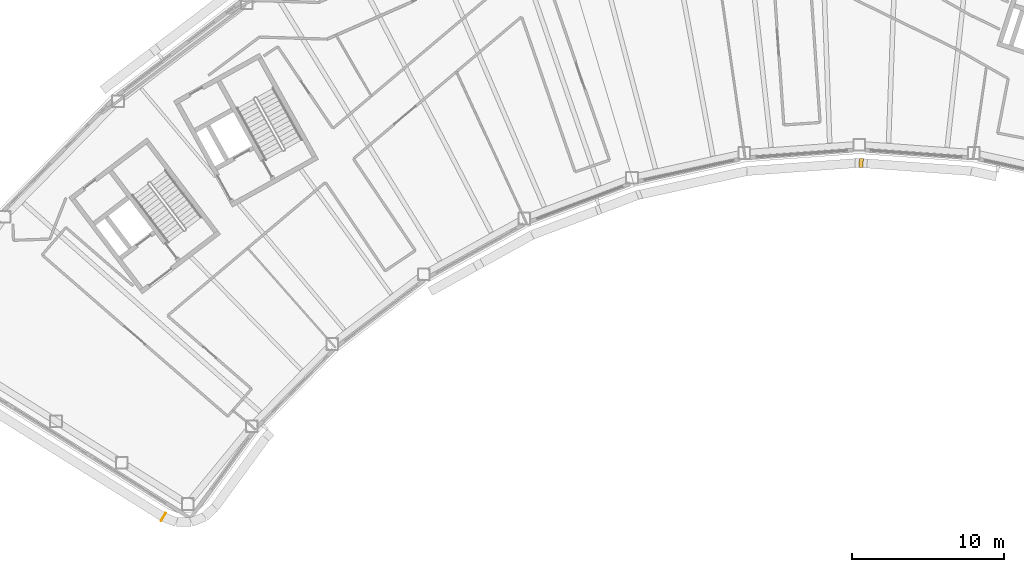
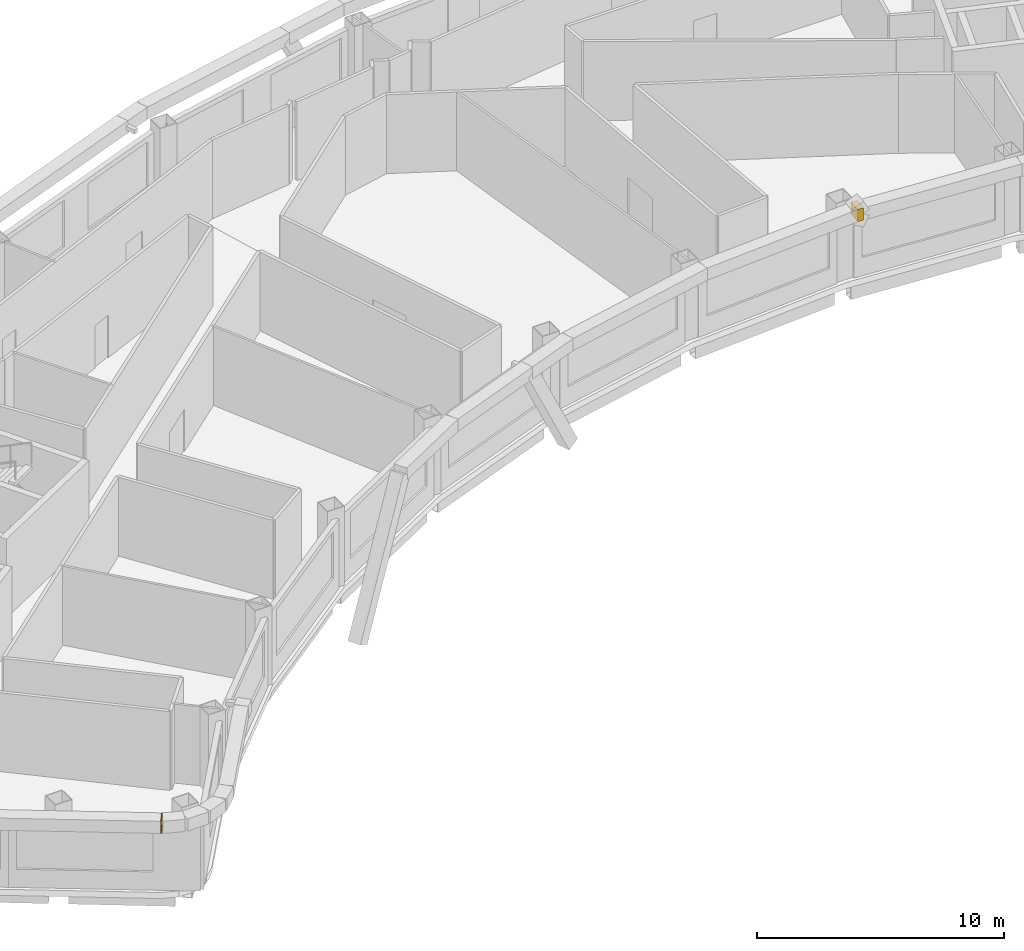
# One storey, part 16 of 16: 2 coverings.
"""IFC4 building model written with IfcOpenShell, lengths in metres."""

import ifcopenshell
import ifcopenshell.guid

model = None  # the IFC model being written
_history = None  # IfcOwnerHistory: only IFC2X3 demands one
_inside = {}  # id of a spatial element -> (the spatial element, [elements in it])
_under = {}  # id of a project, library or spatial element -> (it, [spatial elements below it])
_declared = {}  # id of a project -> (the project, [libraries it declares])
_typed = {}  # id of a type object -> (the type object, [elements of that type])
_made_of = {}  # id of a material, layer set ... -> (it, [elements and type objects made of it])


def new_model(schema):
    """Start an empty IFC model of exactly this schema.

    Asked for "IFC4X3", IfcOpenShell would pick the latest addendum, in which some entities
    have other attributes; the version numbers below select the first issue.
    IFC2X3 requires an IfcOwnerHistory on every rooted entity: one is made here for all.
    """
    global model, _history
    if schema == "IFC4X3":
        model = ifcopenshell.file(schema_version=(4, 3, 0, 0))
    else:
        model = ifcopenshell.file(schema=schema)
    _inside.clear()
    _under.clear()
    _declared.clear()
    _typed.clear()
    _made_of.clear()
    _history = None
    if model.schema == "IFC2X3":
        org = make("IfcOrganization", Name="unknown")
        user = make(
            "IfcPersonAndOrganization",
            ThePerson=make("IfcPerson", FamilyName="unknown"),
            TheOrganization=org,
        )
        app = make(
            "IfcApplication",
            ApplicationDeveloper=org,
            Version="unknown",
            ApplicationFullName="unknown",
            ApplicationIdentifier="unknown",
        )
        _history = make(
            "IfcOwnerHistory",
            OwningUser=user,
            OwningApplication=app,
            ChangeAction="ADDED",
            CreationDate=0,
        )
    return model


def make(cls, **values):
    """One entity of the class cls with the attributes given. An attribute that is None is left unset."""
    return model.create_entity(
        cls, **{name: value for name, value in values.items() if value is not None}
    )


def rooted(cls, **values):
    """An entity with a GlobalId (a new one), such as an element, a storey or a relation."""
    return make(cls, GlobalId=ifcopenshell.guid.new(), OwnerHistory=_history, **values)


def si_unit(unit_type, name, prefix=None):
    """IfcSIUnit, for example si_unit("LENGTHUNIT", "METRE", prefix="MILLI")."""
    return make("IfcSIUnit", UnitType=unit_type, Prefix=prefix, Name=name)


def assignment(units):
    """IfcUnitAssignment: the units of a project."""
    return None if units is None else make("IfcUnitAssignment", Units=units)


def point(xyz):
    """IfcCartesianPoint."""
    return None if xyz is None else make("IfcCartesianPoint", Coordinates=xyz)


def direction(xyz):
    """IfcDirection."""
    return None if xyz is None else make("IfcDirection", DirectionRatios=xyz)


def frame(location, z_axis=None, x_axis=None):
    """IfcAxis2Placement3D, a coordinate frame: its origin and axes. An axis left out is left unset."""
    return make(
        "IfcAxis2Placement3D",
        Location=point(location),
        Axis=direction(z_axis),
        RefDirection=direction(x_axis),
    )


def frame_2d(location, x_axis=None):
    """IfcAxis2Placement2D, a coordinate frame in the plane: its origin and x axis."""
    return make(
        "IfcAxis2Placement2D", Location=point(location), RefDirection=direction(x_axis)
    )


def origin():
    """The frame at (0, 0, 0) with its axes left unset."""
    return frame((0.0, 0.0, 0.0))


def origin_2d():
    """The frame at (0, 0) in the plane with its x axis left unset."""
    return frame_2d((0.0, 0.0))


def place(relative_to, where):
    """IfcLocalPlacement: puts the frame where relative to a parent placement (None: the world)."""
    return make(
        "IfcLocalPlacement", PlacementRelTo=relative_to, RelativePlacement=where
    )


def context(
    kind, dimensions, precision=None, world=None, true_north=None, identifier=None
):
    """IfcGeometricRepresentationContext, for example the 3D "Model" context."""
    return make(
        "IfcGeometricRepresentationContext",
        ContextIdentifier=identifier,
        ContextType=kind,
        CoordinateSpaceDimension=dimensions,
        Precision=precision,
        WorldCoordinateSystem=world,
        TrueNorth=true_north,
    )


def subcontext(parent, identifier, kind, view, scale=None):
    """IfcGeometricRepresentationSubContext, for example "Body" below "Model"."""
    return make(
        "IfcGeometricRepresentationSubContext",
        ContextIdentifier=identifier,
        ContextType=kind,
        ParentContext=parent,
        TargetScale=scale,
        TargetView=view,
    )


def project(units=None, contexts=None):
    """IfcProject with its units and contexts."""
    return rooted(
        "IfcProject",
        Name="project",
        RepresentationContexts=contexts,
        UnitsInContext=assignment(units),
    )


def spatial(cls, under=None, at=None, **own):
    """A site, building, storey or space (cls), placed at a placement, below another one or the project."""
    s = rooted(cls, ObjectPlacement=at, **own)
    if under is not None:
        _under.setdefault(under.id(), (under, []))[1].append(s)
    return s


def profile(cls, at=None, kind="AREA", **sizes):
    """A parametric profile (cls). Its sizes go by their IFC names, for example OverallWidth=200.0."""
    return make(cls, ProfileType=kind, Position=at, **sizes)


def rectangle(**sizes):
    """IfcRectangleProfileDef."""
    return profile("IfcRectangleProfileDef", **sizes)


def extrude(swept, where, along, depth):
    """IfcExtrudedAreaSolid: the profile swept, set in the frame where, extruded along a direction by depth."""
    return make(
        "IfcExtrudedAreaSolid",
        SweptArea=swept,
        Position=where,
        ExtrudedDirection=direction(along),
        Depth=depth,
    )


def shape(context_of_items, identifier, shape_type, items):
    """IfcShapeRepresentation: the items that make up one representation, for example the "Body"."""
    return make(
        "IfcShapeRepresentation",
        ContextOfItems=context_of_items,
        RepresentationIdentifier=identifier,
        RepresentationType=shape_type,
        Items=items,
    )


def material(Name=None, Category=None):
    """IfcMaterial."""
    return make("IfcMaterial", Name=Name, Category=Category)


def material_profile(
    of_material, cross_section, Name=None, Category=None, Priority=None
):
    """IfcMaterialProfile: a cross section and its material."""
    return make(
        "IfcMaterialProfile",
        Name=Name,
        Material=of_material,
        Profile=cross_section,
        Priority=Priority,
        Category=Category,
    )


def profile_set(profiles, Name=None, composite=None):
    """IfcMaterialProfileSet."""
    return make(
        "IfcMaterialProfileSet",
        Name=Name,
        MaterialProfiles=profiles,
        CompositeProfile=composite,
    )


def made_of(thing, what):
    """Note that an element or type object is made of a material, layer set ...; save() writes the relation."""
    if what is not None:
        _made_of.setdefault(what.id(), (what, []))[1].append(thing)
    return thing


def type_object(cls, material=None, **own):
    """A type object (cls), such as IfcWallType, which elements share."""
    return made_of(rooted(cls, **own), material)


def element(
    cls,
    number,
    at=None,
    inside=None,
    cuts=None,
    type_object=None,
    material=None,
    context=None,
    identifier="Body",
    shape_type=None,
    held_by="IfcProductDefinitionShape",
    body=None,
    shapes=None,
    **own,
):
    """One element of the class cls, such as IfcWall. Its Tag is "e" and its number.

    at: its placement. inside: the storey or other place that contains it. cuts: it is an
    opening in that element (IfcRelVoidsElement). A single representation is given by context,
    identifier, shape_type and body (its items); several are given by shapes. held_by: the class
    of the entity that holds the representations. save() writes the other relations.
    """
    e = rooted(cls, Tag="e%d" % number, ObjectPlacement=at, **own)
    if body is not None:
        shapes = [shape(context, identifier, shape_type, body)]
    if shapes is not None:
        e.Representation = make(held_by, Representations=shapes)
    if inside is not None:
        _inside.setdefault(inside.id(), (inside, []))[1].append(e)
    if cuts is not None:
        rooted(
            "IfcRelVoidsElement", RelatingBuildingElement=cuts, RelatedOpeningElement=e
        )
    if type_object is not None:
        _typed.setdefault(type_object.id(), (type_object, []))[1].append(e)
    return made_of(e, material)


def aggregate(whole, parts):
    """IfcRelAggregates: a whole, such as a stair, and the parts it consists of."""
    return rooted("IfcRelAggregates", RelatingObject=whole, RelatedObjects=parts)


def save(model, path):
    """Write the relations noted so far, then the file.

    IfcRelAggregates (storeys below a building ...), IfcRelContainedInSpatialStructure (elements
    in a storey), IfcRelDefinesByType, IfcRelAssociatesMaterial and IfcRelDeclares: one each for
    every whole, place, type object, material and project.
    """
    for whole, parts in _under.values():
        aggregate(whole, parts)
    for where, things in _inside.values():
        rooted(
            "IfcRelContainedInSpatialStructure",
            RelatedElements=things,
            RelatingStructure=where,
        )
    for kind, things in _typed.values():
        rooted("IfcRelDefinesByType", RelatedObjects=things, RelatingType=kind)
    for what, things in _made_of.values():
        rooted("IfcRelAssociatesMaterial", RelatedObjects=things, RelatingMaterial=what)
    for by, libraries in _declared.values():
        rooted("IfcRelDeclares", RelatingContext=by, RelatedDefinitions=libraries)
    model.write(path)


model = new_model("IFC4")

# Units and contexts
model_context = context("Model", 3, precision=1e-05, world=origin(), true_north=direction((0.0, 1.0)))
body_context = subcontext(model_context, "Body", "Model", "MODEL_VIEW")
ifc_project = project(units=[si_unit("LENGTHUNIT", "METRE"), si_unit("AREAUNIT", "SQUARE_METRE"), si_unit("VOLUMEUNIT", "CUBIC_METRE"), si_unit("PLANEANGLEUNIT", "RADIAN"), si_unit("MASSUNIT", "GRAM", prefix="KILO")], contexts=[model_context])

# Site, building, storey
site_placement = place(None, origin())
site = spatial("IfcSite", under=ifc_project, at=site_placement, CompositionType="ELEMENT")
building_placement = place(site_placement, origin())
building = spatial("IfcBuilding", under=site, at=building_placement, Name="Tuul Gate Civic Tower", CompositionType="ELEMENT")
storey_placement = place(building_placement, frame((0.0, 0.0, 261.0)))
storey = spatial("IfcBuildingStorey", under=building, at=storey_placement, Name="Level 59", CompositionType="ELEMENT", Elevation=261.0)

# Coverings
ifc_material = material(Name="Terracotta baguette", Category="masonry")
ifc_material_profile = material_profile(ifc_material, rectangle(XDim=0.60009765625, YDim=0.60009765625, at=origin_2d()), Name="Terracotta baguette screen frame")
ifc_profile_set = profile_set([ifc_material_profile], Name="Terracotta baguette")
covering_type = type_object("IfcCoveringType", Name="Terracotta baguette screen frame", PredefinedType="CLADDING", material=ifc_profile_set)
covering_1_placement = place(storey_placement, frame((-34.89794921875, -32.4326171875, 3.85009765625), z_axis=(0.848261487435, -0.529577613702, 0.0), x_axis=(0.529577613702, 0.848261487435, 0.0)))
element("IfcCovering", 1, at=covering_1_placement, inside=storey, type_object=covering_type, Name="Baguette 164", PredefinedType="CLADDING", context=body_context, shape_type="SweptSolid", body=[
    extrude(rectangle(XDim=0.60009765625, YDim=0.60009765625, at=origin_2d()), origin(), (0.0, 0.0, 1.0), 0.052001953125),
])
covering_2_placement = place(storey_placement, frame((11.031005859375, -9.0849609375, 3.85009765625), z_axis=(0.997378006638, -0.072367892575, 0.0), x_axis=(0.072367892575, 0.997378006638, 0.0)))
element("IfcCovering", 2, at=covering_2_placement, inside=storey, type_object=covering_type, Name="Baguette 355", PredefinedType="CLADDING", context=body_context, shape_type="SweptSolid", body=[
    extrude(rectangle(XDim=0.60009765625, YDim=0.60009765625, at=origin_2d()), origin(), (0.0, 0.0, 1.0), 0.26318359375),
])

save(model, "model.ifc")
